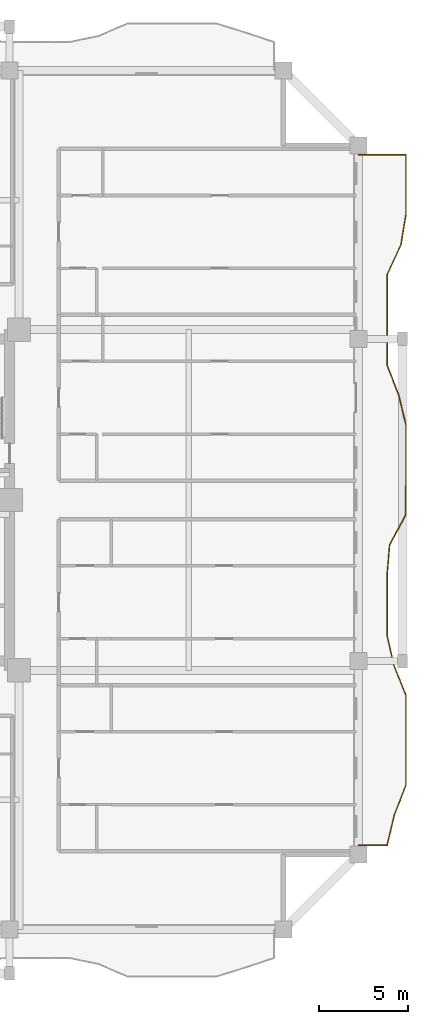
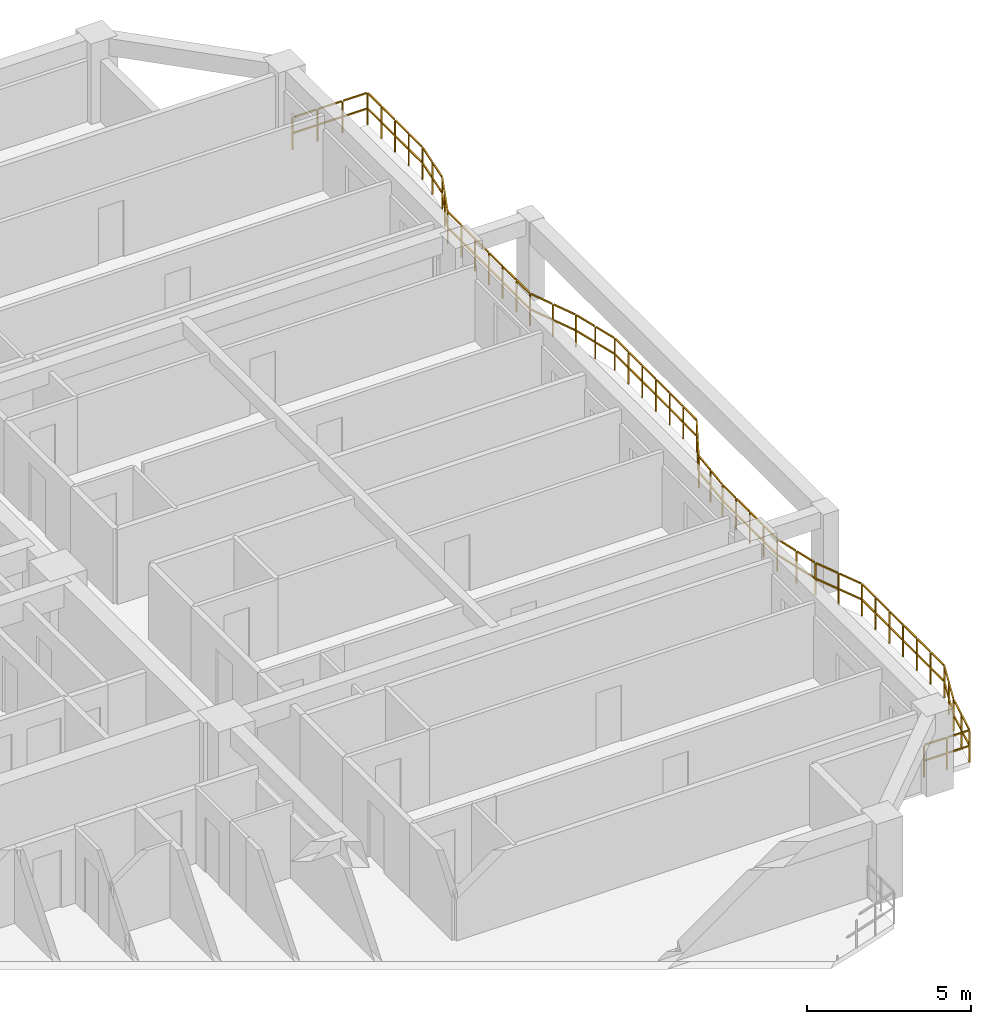
# One storey, part 12 of 13: 1 railing.
"""IFC4 building model written with IfcOpenShell, lengths in metres."""

from ifc_helpers import new_model, si_unit, direction, frame, origin, origin_2d, place, context, subcontext, project, spatial, rectangle, extrude, material, type_object, element, save


model = new_model("IFC4")

# Units and contexts
model_context = context("Model", 3, precision=1e-05, world=origin(), true_north=direction((0.0, 1.0)))
body_context = subcontext(model_context, "Body", "Model", "MODEL_VIEW")
ifc_project = project(units=[si_unit("LENGTHUNIT", "METRE"), si_unit("AREAUNIT", "SQUARE_METRE"), si_unit("VOLUMEUNIT", "CUBIC_METRE"), si_unit("PLANEANGLEUNIT", "RADIAN"), si_unit("MASSUNIT", "GRAM", prefix="KILO")], contexts=[model_context])

# Site, building, storey
site_placement = place(None, origin())
site = spatial("IfcSite", under=ifc_project, at=site_placement, CompositionType="ELEMENT")
building_placement = place(site_placement, origin())
building = spatial("IfcBuilding", under=site, at=building_placement, Name="Saelheon Loggia Tower", CompositionType="ELEMENT")
storey_placement = place(building_placement, frame((0.0, 0.0, 110.85009765625)))
storey = spatial("IfcBuildingStorey", under=building, at=storey_placement, Name="L35", CompositionType="ELEMENT", Elevation=110.85009765625)

# Railing
ifc_material = material(Name="Architectural Precast Concrete and Laminated Glass Guard", Category="concrete")
railing_type = type_object("IfcRailingType", Name="Guard_Loggia_RL_LOG", PredefinedType="BALUSTRADE", material=ifc_material)
railing_placement = place(storey_placement, frame((64.0, 7.699951171875, 0.0)))
element("IfcRailing", 1, at=railing_placement, inside=storey, type_object=railing_type, Name="L35 East Loggia Balustrade", PredefinedType="BALUSTRADE", context=body_context, shape_type="SweptSolid", body=[
    extrude(rectangle(XDim=0.048095703125, YDim=0.048095703125, at=origin_2d()), frame((0.033203125, 0.0, 1.19580078125), z_axis=(1.0, 0.0, 0.0), x_axis=(0.0, 1.0, 0.0)), (0.0, 0.0, 1.0), 0.733642578125),
    extrude(rectangle(XDim=0.048095703125, YDim=0.048095703125, at=origin_2d()), frame((0.033203125, 0.0, 0.60986328125), z_axis=(1.0, 0.0, 0.0), x_axis=(0.0, 1.0, 0.0)), (0.0, 0.0, 1.0), 0.733642578125),
    extrude(rectangle(XDim=0.048095703125, YDim=0.048095703125, at=origin_2d()), frame((0.833251953125, 0.0, 1.19580078125), z_axis=(1.0, 0.0, 0.0), x_axis=(0.0, 1.0, 0.0)), (0.0, 0.0, 1.0), 0.733642578125),
    extrude(rectangle(XDim=0.048095703125, YDim=0.048095703125, at=origin_2d()), frame((0.833251953125, 0.0, 0.60986328125), z_axis=(1.0, 0.0, 0.0), x_axis=(0.0, 1.0, 0.0)), (0.0, 0.0, 1.0), 0.733642578125),
    extrude(rectangle(XDim=0.048095703125, YDim=0.048095703125, at=origin_2d()), frame((1.60791015625, 0.0322265625, 1.19580078125), z_axis=(0.233105455965, 0.972451462233, 0.0), x_axis=(-0.972451462233, 0.233105455965, 0.0)), (0.0, 0.0, 1.0), 0.796630859375),
    extrude(rectangle(XDim=0.048095703125, YDim=0.048095703125, at=origin_2d()), frame((1.60791015625, 0.0322265625, 0.60986328125), z_axis=(0.233105455965, 0.972451462233, 0.0), x_axis=(-0.972451462233, 0.233105455965, 0.0)), (0.0, 0.0, 1.0), 0.796630859375),
    extrude(rectangle(XDim=0.048095703125, YDim=0.048095703125, at=origin_2d()), frame((1.80908203125, 0.87158203125, 1.19580078125), z_axis=(0.233105455965, 0.972451462233, 0.0), x_axis=(-0.972451462233, 0.233105455965, 0.0)), (0.0, 0.0, 1.0), 0.796630859375),
    extrude(rectangle(XDim=0.048095703125, YDim=0.048095703125, at=origin_2d()), frame((1.80908203125, 0.87158203125, 0.60986328125), z_axis=(0.233105455965, 0.972451462233, 0.0), x_axis=(-0.972451462233, 0.233105455965, 0.0)), (0.0, 0.0, 1.0), 0.796630859375),
    extrude(rectangle(XDim=0.048095703125, YDim=0.048095703125, at=origin_2d()), frame((2.014404296875, 1.70947265625, 1.19580078125), z_axis=(0.359988539971, 0.932956725197, 0.0), x_axis=(-0.932956725197, 0.359988539971, 0.0)), (0.0, 0.0, 1.0), 0.832763671875),
    extrude(rectangle(XDim=0.048095703125, YDim=0.048095703125, at=origin_2d()), frame((2.014404296875, 1.70947265625, 0.60986328125), z_axis=(0.359988539971, 0.932956725197, 0.0), x_axis=(-0.932956725197, 0.359988539971, 0.0)), (0.0, 0.0, 1.0), 0.832763671875),
    extrude(rectangle(XDim=0.048095703125, YDim=0.048095703125, at=origin_2d()), frame((2.338134765625, 2.548583984375, 1.19580078125), z_axis=(0.359988539971, 0.932956725197, 0.0), x_axis=(-0.932956725197, 0.359988539971, 0.0)), (0.0, 0.0, 1.0), 0.832763671875),
    extrude(rectangle(XDim=0.048095703125, YDim=0.048095703125, at=origin_2d()), frame((2.338134765625, 2.548583984375, 0.60986328125), z_axis=(0.359988539971, 0.932956725197, 0.0), x_axis=(-0.932956725197, 0.359988539971, 0.0)), (0.0, 0.0, 1.0), 0.832763671875),
    extrude(rectangle(XDim=0.048095703125, YDim=0.048095703125, at=origin_2d()), frame((2.64990234375, 3.3896484375, 1.19580078125), z_axis=(0.0, 1.0, 0.0), x_axis=(-1.0, 0.0, 0.0)), (0.0, 0.0, 1.0), 0.772705078125),
    extrude(rectangle(XDim=0.048095703125, YDim=0.048095703125, at=origin_2d()), frame((2.64990234375, 3.3896484375, 0.60986328125), z_axis=(0.0, 1.0, 0.0), x_axis=(-1.0, 0.0, 0.0)), (0.0, 0.0, 1.0), 0.772705078125),
    extrude(rectangle(XDim=0.048095703125, YDim=0.048095703125, at=origin_2d()), frame((2.64990234375, 4.22900390625, 1.19580078125), z_axis=(0.0, 1.0, 0.0), x_axis=(-1.0, 0.0, 0.0)), (0.0, 0.0, 1.0), 0.772705078125),
    extrude(rectangle(XDim=0.048095703125, YDim=0.048095703125, at=origin_2d()), frame((2.64990234375, 4.22900390625, 0.60986328125), z_axis=(0.0, 1.0, 0.0), x_axis=(-1.0, 0.0, 0.0)), (0.0, 0.0, 1.0), 0.772705078125),
    extrude(rectangle(XDim=0.048095703125, YDim=0.048095703125, at=origin_2d()), frame((2.64990234375, 5.068115234375, 1.19580078125), z_axis=(0.0, 1.0, 0.0), x_axis=(-1.0, 0.0, 0.0)), (0.0, 0.0, 1.0), 0.772705078125),
    extrude(rectangle(XDim=0.048095703125, YDim=0.048095703125, at=origin_2d()), frame((2.64990234375, 5.068115234375, 0.60986328125), z_axis=(0.0, 1.0, 0.0), x_axis=(-1.0, 0.0, 0.0)), (0.0, 0.0, 1.0), 0.772705078125),
    extrude(rectangle(XDim=0.048095703125, YDim=0.048095703125, at=origin_2d()), frame((2.64990234375, 5.9072265625, 1.19580078125), z_axis=(0.0, 1.0, 0.0), x_axis=(-1.0, 0.0, 0.0)), (0.0, 0.0, 1.0), 0.772705078125),
    extrude(rectangle(XDim=0.048095703125, YDim=0.048095703125, at=origin_2d()), frame((2.64990234375, 5.9072265625, 0.60986328125), z_axis=(0.0, 1.0, 0.0), x_axis=(-1.0, 0.0, 0.0)), (0.0, 0.0, 1.0), 0.772705078125),
    extrude(rectangle(XDim=0.048095703125, YDim=0.048095703125, at=origin_2d()), frame((2.64990234375, 6.746337890625, 1.19580078125), z_axis=(0.0, 1.0, 0.0), x_axis=(-1.0, 0.0, 0.0)), (0.0, 0.0, 1.0), 0.772705078125),
    extrude(rectangle(XDim=0.048095703125, YDim=0.048095703125, at=origin_2d()), frame((2.64990234375, 6.746337890625, 0.60986328125), z_axis=(0.0, 1.0, 0.0), x_axis=(-1.0, 0.0, 0.0)), (0.0, 0.0, 1.0), 0.772705078125),
    extrude(rectangle(XDim=0.048095703125, YDim=0.048095703125, at=origin_2d()), frame((2.64990234375, 7.58544921875, 1.19580078125), z_axis=(0.0, 1.0, 0.0), x_axis=(-1.0, 0.0, 0.0)), (0.0, 0.0, 1.0), 0.772705078125),
    extrude(rectangle(XDim=0.048095703125, YDim=0.048095703125, at=origin_2d()), frame((2.64990234375, 7.58544921875, 0.60986328125), z_axis=(0.0, 1.0, 0.0), x_axis=(-1.0, 0.0, 0.0)), (0.0, 0.0, 1.0), 0.772705078125),
    extrude(rectangle(XDim=0.048095703125, YDim=0.048095703125, at=origin_2d()), frame((2.637451171875, 8.422119140625, 1.19580078125), z_axis=(-0.372251854994, 0.928131755977, 0.0), x_axis=(-0.928131755977, -0.372251854994, 0.0)), (0.0, 0.0, 1.0), 0.837646484375),
    extrude(rectangle(XDim=0.048095703125, YDim=0.048095703125, at=origin_2d()), frame((2.637451171875, 8.422119140625, 0.60986328125), z_axis=(-0.372251854994, 0.928131755977, 0.0), x_axis=(-0.928131755977, -0.372251854994, 0.0)), (0.0, 0.0, 1.0), 0.837646484375),
    extrude(rectangle(XDim=0.048095703125, YDim=0.048095703125, at=origin_2d()), frame((2.301025390625, 9.26123046875, 1.19580078125), z_axis=(-0.372251854994, 0.928131755977, 0.0), x_axis=(-0.928131755977, -0.372251854994, 0.0)), (0.0, 0.0, 1.0), 0.837646484375),
    extrude(rectangle(XDim=0.048095703125, YDim=0.048095703125, at=origin_2d()), frame((2.301025390625, 9.26123046875, 0.60986328125), z_axis=(-0.372251854994, 0.928131755977, 0.0), x_axis=(-0.928131755977, -0.372251854994, 0.0)), (0.0, 0.0, 1.0), 0.837646484375),
    extrude(rectangle(XDim=0.048095703125, YDim=0.048095703125, at=origin_2d()), frame((1.969482421875, 10.10205078125, 1.19580078125), z_axis=(-0.219019037478, 0.97572058563, 0.0), x_axis=(-0.97572058563, -0.219019037478, 0.0)), (0.0, 0.0, 1.0), 0.79345703125),
    extrude(rectangle(XDim=0.048095703125, YDim=0.048095703125, at=origin_2d()), frame((1.969482421875, 10.10205078125, 0.60986328125), z_axis=(-0.219019037478, 0.97572058563, 0.0), x_axis=(-0.97572058563, -0.219019037478, 0.0)), (0.0, 0.0, 1.0), 0.79345703125),
    extrude(rectangle(XDim=0.048095703125, YDim=0.048095703125, at=origin_2d()), frame((1.78125, 10.941162109375, 1.19580078125), z_axis=(-0.219019037478, 0.97572058563, 0.0), x_axis=(-0.97572058563, -0.219019037478, 0.0)), (0.0, 0.0, 1.0), 0.79345703125),
    extrude(rectangle(XDim=0.048095703125, YDim=0.048095703125, at=origin_2d()), frame((1.78125, 10.941162109375, 0.60986328125), z_axis=(-0.219019037478, 0.97572058563, 0.0), x_axis=(-0.97572058563, -0.219019037478, 0.0)), (0.0, 0.0, 1.0), 0.79345703125),
    extrude(rectangle(XDim=0.048095703125, YDim=0.048095703125, at=origin_2d()), frame((1.60009765625, 11.781005859375, 1.19580078125), z_axis=(0.0, 1.0, 0.0), x_axis=(-1.0, 0.0, 0.0)), (0.0, 0.0, 1.0), 0.772705078125),
    extrude(rectangle(XDim=0.048095703125, YDim=0.048095703125, at=origin_2d()), frame((1.60009765625, 11.781005859375, 0.60986328125), z_axis=(0.0, 1.0, 0.0), x_axis=(-1.0, 0.0, 0.0)), (0.0, 0.0, 1.0), 0.772705078125),
    extrude(rectangle(XDim=0.048095703125, YDim=0.048095703125, at=origin_2d()), frame((1.60009765625, 12.620361328125, 1.19580078125), z_axis=(0.0, 1.0, 0.0), x_axis=(-1.0, 0.0, 0.0)), (0.0, 0.0, 1.0), 0.772705078125),
    extrude(rectangle(XDim=0.048095703125, YDim=0.048095703125, at=origin_2d()), frame((1.60009765625, 12.620361328125, 0.60986328125), z_axis=(0.0, 1.0, 0.0), x_axis=(-1.0, 0.0, 0.0)), (0.0, 0.0, 1.0), 0.772705078125),
    extrude(rectangle(XDim=0.048095703125, YDim=0.048095703125, at=origin_2d()), frame((1.60009765625, 13.45947265625, 1.19580078125), z_axis=(0.0, 1.0, 0.0), x_axis=(-1.0, 0.0, 0.0)), (0.0, 0.0, 1.0), 0.7724609375),
    extrude(rectangle(XDim=0.048095703125, YDim=0.048095703125, at=origin_2d()), frame((1.60009765625, 13.45947265625, 0.60986328125), z_axis=(0.0, 1.0, 0.0), x_axis=(-1.0, 0.0, 0.0)), (0.0, 0.0, 1.0), 0.7724609375),
    extrude(rectangle(XDim=0.048095703125, YDim=0.048095703125, at=origin_2d()), frame((1.60009765625, 14.298583984375, 1.19580078125), z_axis=(0.0, 1.0, 0.0), x_axis=(-1.0, 0.0, 0.0)), (0.0, 0.0, 1.0), 0.7724609375),
    extrude(rectangle(XDim=0.048095703125, YDim=0.048095703125, at=origin_2d()), frame((1.60009765625, 14.298583984375, 0.60986328125), z_axis=(0.0, 1.0, 0.0), x_axis=(-1.0, 0.0, 0.0)), (0.0, 0.0, 1.0), 0.7724609375),
    extrude(rectangle(XDim=0.048095703125, YDim=0.048095703125, at=origin_2d()), frame((1.602783203125, 15.137451171875, 1.19580078125), z_axis=(0.082769561471, 0.996568712982, 0.0), x_axis=(-0.996568712982, 0.082769561471, 0.0)), (0.0, 0.0, 1.0), 0.775634765625),
    extrude(rectangle(XDim=0.048095703125, YDim=0.048095703125, at=origin_2d()), frame((1.602783203125, 15.137451171875, 0.60986328125), z_axis=(0.082769561471, 0.996568712982, 0.0), x_axis=(-0.996568712982, 0.082769561471, 0.0)), (0.0, 0.0, 1.0), 0.775634765625),
    extrude(rectangle(XDim=0.048095703125, YDim=0.048095703125, at=origin_2d()), frame((1.672607421875, 15.9765625, 1.19580078125), z_axis=(0.082769561471, 0.996568712982, 0.0), x_axis=(-0.996568712982, 0.082769561471, 0.0)), (0.0, 0.0, 1.0), 0.775634765625),
    extrude(rectangle(XDim=0.048095703125, YDim=0.048095703125, at=origin_2d()), frame((1.672607421875, 15.9765625, 0.60986328125), z_axis=(0.082769561471, 0.996568712982, 0.0), x_axis=(-0.996568712982, 0.082769561471, 0.0)), (0.0, 0.0, 1.0), 0.775634765625),
    extrude(rectangle(XDim=0.048095703125, YDim=0.048095703125, at=origin_2d()), frame((1.755126953125, 16.81201171875, 1.19580078125), z_axis=(0.470474964031, 0.882413343179, 0.0), x_axis=(-0.882413343179, 0.470474964031, 0.0)), (0.0, 0.0, 1.0), 0.884521484375),
    extrude(rectangle(XDim=0.048095703125, YDim=0.048095703125, at=origin_2d()), frame((1.755126953125, 16.81201171875, 0.60986328125), z_axis=(0.470474964031, 0.882413343179, 0.0), x_axis=(-0.882413343179, 0.470474964031, 0.0)), (0.0, 0.0, 1.0), 0.884521484375),
    extrude(rectangle(XDim=0.048095703125, YDim=0.048095703125, at=origin_2d()), frame((2.20263671875, 17.651123046875, 1.19580078125), z_axis=(0.470474964031, 0.882413343179, 0.0), x_axis=(-0.882413343179, 0.470474964031, 0.0)), (0.0, 0.0, 1.0), 0.884521484375),
    extrude(rectangle(XDim=0.048095703125, YDim=0.048095703125, at=origin_2d()), frame((2.20263671875, 17.651123046875, 0.60986328125), z_axis=(0.470474964031, 0.882413343179, 0.0), x_axis=(-0.882413343179, 0.470474964031, 0.0)), (0.0, 0.0, 1.0), 0.884521484375),
    extrude(rectangle(XDim=0.048095703125, YDim=0.048095703125, at=origin_2d()), frame((2.634521484375, 18.494140625, 1.19580078125), z_axis=(0.009310041647, 0.999956660623, 0.0), x_axis=(-0.999956660623, 0.009310041647, 0.0)), (0.0, 0.0, 1.0), 0.772705078125),
    extrude(rectangle(XDim=0.048095703125, YDim=0.048095703125, at=origin_2d()), frame((2.634521484375, 18.494140625, 0.60986328125), z_axis=(0.009310041647, 0.999956660623, 0.0), x_axis=(-0.999956660623, 0.009310041647, 0.0)), (0.0, 0.0, 1.0), 0.772705078125),
    extrude(rectangle(XDim=0.048095703125, YDim=0.048095703125, at=origin_2d()), frame((2.642333984375, 19.333251953125, 1.19580078125), z_axis=(0.009310041647, 0.999956660623, 0.0), x_axis=(-0.999956660623, 0.009310041647, 0.0)), (0.0, 0.0, 1.0), 0.772705078125),
    extrude(rectangle(XDim=0.048095703125, YDim=0.048095703125, at=origin_2d()), frame((2.642333984375, 19.333251953125, 0.60986328125), z_axis=(0.009310041647, 0.999956660623, 0.0), x_axis=(-0.999956660623, 0.009310041647, 0.0)), (0.0, 0.0, 1.0), 0.772705078125),
    extrude(rectangle(XDim=0.048095703125, YDim=0.048095703125, at=origin_2d()), frame((2.64990234375, 20.17236328125, 1.19580078125), z_axis=(0.0, 1.0, 0.0), x_axis=(-1.0, 0.0, 0.0)), (0.0, 0.0, 1.0), 0.772705078125),
    extrude(rectangle(XDim=0.048095703125, YDim=0.048095703125, at=origin_2d()), frame((2.64990234375, 20.17236328125, 0.60986328125), z_axis=(0.0, 1.0, 0.0), x_axis=(-1.0, 0.0, 0.0)), (0.0, 0.0, 1.0), 0.772705078125),
    extrude(rectangle(XDim=0.048095703125, YDim=0.048095703125, at=origin_2d()), frame((2.64990234375, 21.011474609375, 1.19580078125), z_axis=(0.0, 1.0, 0.0), x_axis=(-1.0, 0.0, 0.0)), (0.0, 0.0, 1.0), 0.772705078125),
    extrude(rectangle(XDim=0.048095703125, YDim=0.048095703125, at=origin_2d()), frame((2.64990234375, 21.011474609375, 0.60986328125), z_axis=(0.0, 1.0, 0.0), x_axis=(-1.0, 0.0, 0.0)), (0.0, 0.0, 1.0), 0.772705078125),
    extrude(rectangle(XDim=0.048095703125, YDim=0.048095703125, at=origin_2d()), frame((2.64990234375, 21.8505859375, 1.19580078125), z_axis=(0.0, 1.0, 0.0), x_axis=(-1.0, 0.0, 0.0)), (0.0, 0.0, 1.0), 0.772705078125),
    extrude(rectangle(XDim=0.048095703125, YDim=0.048095703125, at=origin_2d()), frame((2.64990234375, 21.8505859375, 0.60986328125), z_axis=(0.0, 1.0, 0.0), x_axis=(-1.0, 0.0, 0.0)), (0.0, 0.0, 1.0), 0.772705078125),
    extrude(rectangle(XDim=0.048095703125, YDim=0.048095703125, at=origin_2d()), frame((2.64990234375, 22.68994140625, 1.19580078125), z_axis=(0.0, 1.0, 0.0), x_axis=(-1.0, 0.0, 0.0)), (0.0, 0.0, 1.0), 0.772705078125),
    extrude(rectangle(XDim=0.048095703125, YDim=0.048095703125, at=origin_2d()), frame((2.64990234375, 22.68994140625, 0.60986328125), z_axis=(0.0, 1.0, 0.0), x_axis=(-1.0, 0.0, 0.0)), (0.0, 0.0, 1.0), 0.772705078125),
    extrude(rectangle(XDim=0.048095703125, YDim=0.048095703125, at=origin_2d()), frame((2.64208984375, 23.528076171875, 1.19580078125), z_axis=(-0.234239529091, 0.972178915124, 0.0), x_axis=(-0.972178915124, -0.234239529091, 0.0)), (0.0, 0.0, 1.0), 0.796630859375),
    extrude(rectangle(XDim=0.048095703125, YDim=0.048095703125, at=origin_2d()), frame((2.64208984375, 23.528076171875, 0.60986328125), z_axis=(-0.234239529091, 0.972178915124, 0.0), x_axis=(-0.972178915124, -0.234239529091, 0.0)), (0.0, 0.0, 1.0), 0.796630859375),
    extrude(rectangle(XDim=0.048095703125, YDim=0.048095703125, at=origin_2d()), frame((2.43994140625, 24.3671875, 1.19580078125), z_axis=(-0.234239529091, 0.972178915124, 0.0), x_axis=(-0.972178915124, -0.234239529091, 0.0)), (0.0, 0.0, 1.0), 0.796630859375),
    extrude(rectangle(XDim=0.048095703125, YDim=0.048095703125, at=origin_2d()), frame((2.43994140625, 24.3671875, 0.60986328125), z_axis=(-0.234239529091, 0.972178915124, 0.0), x_axis=(-0.972178915124, -0.234239529091, 0.0)), (0.0, 0.0, 1.0), 0.796630859375),
    extrude(rectangle(XDim=0.048095703125, YDim=0.048095703125, at=origin_2d()), frame((2.233642578125, 25.204833984375, 1.19580078125), z_axis=(-0.358951787018, 0.93335610278, 0.0), x_axis=(-0.93335610278, -0.358951787018, 0.0)), (0.0, 0.0, 1.0), 0.832763671875),
    extrude(rectangle(XDim=0.048095703125, YDim=0.048095703125, at=origin_2d()), frame((2.233642578125, 25.204833984375, 0.60986328125), z_axis=(-0.358951787018, 0.93335610278, 0.0), x_axis=(-0.93335610278, -0.358951787018, 0.0)), (0.0, 0.0, 1.0), 0.832763671875),
    extrude(rectangle(XDim=0.048095703125, YDim=0.048095703125, at=origin_2d()), frame((1.910888671875, 26.044189453125, 1.19580078125), z_axis=(-0.358951787018, 0.93335610278, 0.0), x_axis=(-0.93335610278, -0.358951787018, 0.0)), (0.0, 0.0, 1.0), 0.832763671875),
    extrude(rectangle(XDim=0.048095703125, YDim=0.048095703125, at=origin_2d()), frame((1.910888671875, 26.044189453125, 0.60986328125), z_axis=(-0.358951787018, 0.93335610278, 0.0), x_axis=(-0.93335610278, -0.358951787018, 0.0)), (0.0, 0.0, 1.0), 0.832763671875),
    extrude(rectangle(XDim=0.048095703125, YDim=0.048095703125, at=origin_2d()), frame((1.60009765625, 26.885498046875, 1.19580078125), z_axis=(0.0, 1.0, 0.0), x_axis=(-1.0, 0.0, 0.0)), (0.0, 0.0, 1.0), 0.772705078125),
    extrude(rectangle(XDim=0.048095703125, YDim=0.048095703125, at=origin_2d()), frame((1.60009765625, 26.885498046875, 0.60986328125), z_axis=(0.0, 1.0, 0.0), x_axis=(-1.0, 0.0, 0.0)), (0.0, 0.0, 1.0), 0.772705078125),
    extrude(rectangle(XDim=0.048095703125, YDim=0.048095703125, at=origin_2d()), frame((1.60009765625, 27.724609375, 1.19580078125), z_axis=(0.0, 1.0, 0.0), x_axis=(-1.0, 0.0, 0.0)), (0.0, 0.0, 1.0), 0.772705078125),
    extrude(rectangle(XDim=0.048095703125, YDim=0.048095703125, at=origin_2d()), frame((1.60009765625, 27.724609375, 0.60986328125), z_axis=(0.0, 1.0, 0.0), x_axis=(-1.0, 0.0, 0.0)), (0.0, 0.0, 1.0), 0.772705078125),
    extrude(rectangle(XDim=0.048095703125, YDim=0.048095703125, at=origin_2d()), frame((1.60009765625, 28.563720703125, 1.19580078125), z_axis=(0.0, 1.0, 0.0), x_axis=(-1.0, 0.0, 0.0)), (0.0, 0.0, 1.0), 0.772705078125),
    extrude(rectangle(XDim=0.048095703125, YDim=0.048095703125, at=origin_2d()), frame((1.60009765625, 28.563720703125, 0.60986328125), z_axis=(0.0, 1.0, 0.0), x_axis=(-1.0, 0.0, 0.0)), (0.0, 0.0, 1.0), 0.772705078125),
    extrude(rectangle(XDim=0.048095703125, YDim=0.048095703125, at=origin_2d()), frame((1.60009765625, 29.40283203125, 1.19580078125), z_axis=(0.0, 1.0, 0.0), x_axis=(-1.0, 0.0, 0.0)), (0.0, 0.0, 1.0), 0.772705078125),
    extrude(rectangle(XDim=0.048095703125, YDim=0.048095703125, at=origin_2d()), frame((1.60009765625, 29.40283203125, 0.60986328125), z_axis=(0.0, 1.0, 0.0), x_axis=(-1.0, 0.0, 0.0)), (0.0, 0.0, 1.0), 0.772705078125),
    extrude(rectangle(XDim=0.048095703125, YDim=0.048095703125, at=origin_2d()), frame((1.60009765625, 30.241943359375, 1.19580078125), z_axis=(0.0, 1.0, 0.0), x_axis=(-1.0, 0.0, 0.0)), (0.0, 0.0, 1.0), 0.772705078125),
    extrude(rectangle(XDim=0.048095703125, YDim=0.048095703125, at=origin_2d()), frame((1.60009765625, 30.241943359375, 0.60986328125), z_axis=(0.0, 1.0, 0.0), x_axis=(-1.0, 0.0, 0.0)), (0.0, 0.0, 1.0), 0.772705078125),
    extrude(rectangle(XDim=0.048095703125, YDim=0.048095703125, at=origin_2d()), frame((1.60009765625, 31.0810546875, 1.19580078125), z_axis=(0.0, 1.0, 0.0), x_axis=(-1.0, 0.0, 0.0)), (0.0, 0.0, 1.0), 0.772705078125),
    extrude(rectangle(XDim=0.048095703125, YDim=0.048095703125, at=origin_2d()), frame((1.60009765625, 31.0810546875, 0.60986328125), z_axis=(0.0, 1.0, 0.0), x_axis=(-1.0, 0.0, 0.0)), (0.0, 0.0, 1.0), 0.772705078125),
    extrude(rectangle(XDim=0.048095703125, YDim=0.048095703125, at=origin_2d()), frame((1.614013671875, 31.917236328125, 1.19580078125), z_axis=(0.419100057061, 0.907940054283, 0.0), x_axis=(-0.907940054283, 0.419100057061, 0.0)), (0.0, 0.0, 1.0), 0.857666015625),
    extrude(rectangle(XDim=0.048095703125, YDim=0.048095703125, at=origin_2d()), frame((1.614013671875, 31.917236328125, 0.60986328125), z_axis=(0.419100057061, 0.907940054283, 0.0), x_axis=(-0.907940054283, 0.419100057061, 0.0)), (0.0, 0.0, 1.0), 0.857666015625),
    extrude(rectangle(XDim=0.048095703125, YDim=0.048095703125, at=origin_2d()), frame((2.00146484375, 32.75634765625, 1.19580078125), z_axis=(0.419100057061, 0.907940054283, 0.0), x_axis=(-0.907940054283, 0.419100057061, 0.0)), (0.0, 0.0, 1.0), 0.857666015625),
    extrude(rectangle(XDim=0.048095703125, YDim=0.048095703125, at=origin_2d()), frame((2.00146484375, 32.75634765625, 0.60986328125), z_axis=(0.419100057061, 0.907940054283, 0.0), x_axis=(-0.907940054283, 0.419100057061, 0.0)), (0.0, 0.0, 1.0), 0.857666015625),
    extrude(rectangle(XDim=0.048095703125, YDim=0.048095703125, at=origin_2d()), frame((2.380126953125, 33.597900390625, 1.19580078125), z_axis=(0.16176815253, 0.986828792054, 0.0), x_axis=(-0.986828792054, 0.16176815253, 0.0)), (0.0, 0.0, 1.0), 0.783935546875),
    extrude(rectangle(XDim=0.048095703125, YDim=0.048095703125, at=origin_2d()), frame((2.380126953125, 33.597900390625, 0.60986328125), z_axis=(0.16176815253, 0.986828792054, 0.0), x_axis=(-0.986828792054, 0.16176815253, 0.0)), (0.0, 0.0, 1.0), 0.783935546875),
    extrude(rectangle(XDim=0.048095703125, YDim=0.048095703125, at=origin_2d()), frame((2.517822265625, 34.437255859375, 1.19580078125), z_axis=(0.16176815253, 0.986828792054, 0.0), x_axis=(-0.986828792054, 0.16176815253, 0.0)), (0.0, 0.0, 1.0), 0.783935546875),
    extrude(rectangle(XDim=0.048095703125, YDim=0.048095703125, at=origin_2d()), frame((2.517822265625, 34.437255859375, 0.60986328125), z_axis=(0.16176815253, 0.986828792054, 0.0), x_axis=(-0.986828792054, 0.16176815253, 0.0)), (0.0, 0.0, 1.0), 0.783935546875),
    extrude(rectangle(XDim=0.048095703125, YDim=0.048095703125, at=origin_2d()), frame((2.64990234375, 35.27685546875, 1.19580078125), z_axis=(0.0, 1.0, 0.0), x_axis=(-1.0, 0.0, 0.0)), (0.0, 0.0, 1.0), 0.7724609375),
    extrude(rectangle(XDim=0.048095703125, YDim=0.048095703125, at=origin_2d()), frame((2.64990234375, 35.27685546875, 0.60986328125), z_axis=(0.0, 1.0, 0.0), x_axis=(-1.0, 0.0, 0.0)), (0.0, 0.0, 1.0), 0.7724609375),
    extrude(rectangle(XDim=0.048095703125, YDim=0.048095703125, at=origin_2d()), frame((2.64990234375, 36.115966796875, 1.19580078125), z_axis=(0.0, 1.0, 0.0), x_axis=(-1.0, 0.0, 0.0)), (0.0, 0.0, 1.0), 0.7724609375),
    extrude(rectangle(XDim=0.048095703125, YDim=0.048095703125, at=origin_2d()), frame((2.64990234375, 36.115966796875, 0.60986328125), z_axis=(0.0, 1.0, 0.0), x_axis=(-1.0, 0.0, 0.0)), (0.0, 0.0, 1.0), 0.7724609375),
    extrude(rectangle(XDim=0.048095703125, YDim=0.048095703125, at=origin_2d()), frame((2.64990234375, 36.954833984375, 1.19580078125), z_axis=(0.0, 1.0, 0.0), x_axis=(-1.0, 0.0, 0.0)), (0.0, 0.0, 1.0), 0.772705078125),
    extrude(rectangle(XDim=0.048095703125, YDim=0.048095703125, at=origin_2d()), frame((2.64990234375, 36.954833984375, 0.60986328125), z_axis=(0.0, 1.0, 0.0), x_axis=(-1.0, 0.0, 0.0)), (0.0, 0.0, 1.0), 0.772705078125),
    extrude(rectangle(XDim=0.048095703125, YDim=0.048095703125, at=origin_2d()), frame((2.64990234375, 37.794189453125, 1.19580078125), z_axis=(0.0, 1.0, 0.0), x_axis=(-1.0, 0.0, 0.0)), (0.0, 0.0, 1.0), 0.772705078125),
    extrude(rectangle(XDim=0.048095703125, YDim=0.048095703125, at=origin_2d()), frame((2.64990234375, 37.794189453125, 0.60986328125), z_axis=(0.0, 1.0, 0.0), x_axis=(-1.0, 0.0, 0.0)), (0.0, 0.0, 1.0), 0.772705078125),
    extrude(rectangle(XDim=0.048095703125, YDim=0.048095703125, at=origin_2d()), frame((2.61669921875, 38.60009765625, 1.19580078125), z_axis=(-1.0, 0.0, 0.0), x_axis=(0.0, -1.0, 0.0)), (0.0, 0.0, 1.0), 0.81689453125),
    extrude(rectangle(XDim=0.048095703125, YDim=0.048095703125, at=origin_2d()), frame((2.61669921875, 38.60009765625, 0.60986328125), z_axis=(-1.0, 0.0, 0.0), x_axis=(0.0, -1.0, 0.0)), (0.0, 0.0, 1.0), 0.81689453125),
    extrude(rectangle(XDim=0.048095703125, YDim=0.048095703125, at=origin_2d()), frame((1.7333984375, 38.60009765625, 1.19580078125), z_axis=(-1.0, 0.0, 0.0), x_axis=(0.0, -1.0, 0.0)), (0.0, 0.0, 1.0), 0.81689453125),
    extrude(rectangle(XDim=0.048095703125, YDim=0.048095703125, at=origin_2d()), frame((1.7333984375, 38.60009765625, 0.60986328125), z_axis=(-1.0, 0.0, 0.0), x_axis=(0.0, -1.0, 0.0)), (0.0, 0.0, 1.0), 0.81689453125),
    extrude(rectangle(XDim=0.048095703125, YDim=0.048095703125, at=origin_2d()), frame((0.85009765625, 38.60009765625, 1.19580078125), z_axis=(-1.0, 0.0, 0.0), x_axis=(0.0, -1.0, 0.0)), (0.0, 0.0, 1.0), 0.81689453125),
    extrude(rectangle(XDim=0.048095703125, YDim=0.048095703125, at=origin_2d()), frame((0.85009765625, 38.60009765625, 0.60986328125), z_axis=(-1.0, 0.0, 0.0), x_axis=(0.0, -1.0, 0.0)), (0.0, 0.0, 1.0), 0.81689453125),
    extrude(rectangle(XDim=0.0419921875, YDim=0.0419921875, at=origin_2d()), origin(), (0.0, 0.0, 1.0), 1.16796875),
    extrude(rectangle(XDim=0.0419921875, YDim=0.0419921875, at=origin_2d()), frame((0.800048828125, 0.0, 0.0)), (0.0, 0.0, 1.0), 1.16796875),
    extrude(rectangle(XDim=0.0419921875, YDim=0.0419921875, at=origin_2d()), frame((1.60009765625, 0.0, 0.0)), (0.0, 0.0, 1.0), 1.16796875),
    extrude(rectangle(XDim=0.0419921875, YDim=0.0419921875, at=origin_2d()), frame((1.80126953125, 0.83935546875, 0.0)), (0.0, 0.0, 1.0), 1.16796875),
    extrude(rectangle(XDim=0.0419921875, YDim=0.0419921875, at=origin_2d()), frame((2.00244140625, 1.678466796875, 0.0)), (0.0, 0.0, 1.0), 1.16796875),
    extrude(rectangle(XDim=0.0419921875, YDim=0.0419921875, at=origin_2d()), frame((2.326171875, 2.517578125, 0.0)), (0.0, 0.0, 1.0), 1.16796875),
    extrude(rectangle(XDim=0.0419921875, YDim=0.0419921875, at=origin_2d()), frame((2.64990234375, 3.3564453125, 0.0)), (0.0, 0.0, 1.0), 1.16796875),
    extrude(rectangle(XDim=0.0419921875, YDim=0.0419921875, at=origin_2d()), frame((2.64990234375, 4.19580078125, 0.0)), (0.0, 0.0, 1.0), 1.16796875),
    extrude(rectangle(XDim=0.0419921875, YDim=0.0419921875, at=origin_2d()), frame((2.64990234375, 5.034912109375, 0.0)), (0.0, 0.0, 1.0), 1.16796875),
    extrude(rectangle(XDim=0.0419921875, YDim=0.0419921875, at=origin_2d()), frame((2.64990234375, 5.8740234375, 0.0)), (0.0, 0.0, 1.0), 1.16796875),
    extrude(rectangle(XDim=0.0419921875, YDim=0.0419921875, at=origin_2d()), frame((2.64990234375, 6.713134765625, 0.0)), (0.0, 0.0, 1.0), 1.16796875),
    extrude(rectangle(XDim=0.0419921875, YDim=0.0419921875, at=origin_2d()), frame((2.64990234375, 7.55224609375, 0.0)), (0.0, 0.0, 1.0), 1.16796875),
    extrude(rectangle(XDim=0.0419921875, YDim=0.0419921875, at=origin_2d()), frame((2.64990234375, 8.391357421875, 0.0)), (0.0, 0.0, 1.0), 1.16796875),
    extrude(rectangle(XDim=0.0419921875, YDim=0.0419921875, at=origin_2d()), frame((2.3134765625, 9.23046875, 0.0)), (0.0, 0.0, 1.0), 1.16796875),
    extrude(rectangle(XDim=0.0419921875, YDim=0.0419921875, at=origin_2d()), frame((1.976806640625, 10.069580078125, 0.0)), (0.0, 0.0, 1.0), 1.16796875),
    extrude(rectangle(XDim=0.0419921875, YDim=0.0419921875, at=origin_2d()), frame((1.78857421875, 10.90869140625, 0.0)), (0.0, 0.0, 1.0), 1.16796875),
    extrude(rectangle(XDim=0.0419921875, YDim=0.0419921875, at=origin_2d()), frame((1.60009765625, 11.747802734375, 0.0)), (0.0, 0.0, 1.0), 1.16796875),
    extrude(rectangle(XDim=0.0419921875, YDim=0.0419921875, at=origin_2d()), frame((1.60009765625, 12.5869140625, 0.0)), (0.0, 0.0, 1.0), 1.16796875),
    extrude(rectangle(XDim=0.0419921875, YDim=0.0419921875, at=origin_2d()), frame((1.60009765625, 13.42626953125, 0.0)), (0.0, 0.0, 1.0), 1.16796875),
    extrude(rectangle(XDim=0.0419921875, YDim=0.0419921875, at=origin_2d()), frame((1.60009765625, 14.26513671875, 0.0)), (0.0, 0.0, 1.0), 1.16796875),
    extrude(rectangle(XDim=0.0419921875, YDim=0.0419921875, at=origin_2d()), frame((1.60009765625, 15.104248046875, 0.0)), (0.0, 0.0, 1.0), 1.16796875),
    extrude(rectangle(XDim=0.0419921875, YDim=0.0419921875, at=origin_2d()), frame((1.669921875, 15.943359375, 0.0)), (0.0, 0.0, 1.0), 1.16796875),
    extrude(rectangle(XDim=0.0419921875, YDim=0.0419921875, at=origin_2d()), frame((1.739501953125, 16.78271484375, 0.0)), (0.0, 0.0, 1.0), 1.16796875),
    extrude(rectangle(XDim=0.0419921875, YDim=0.0419921875, at=origin_2d()), frame((2.18701171875, 17.621826171875, 0.0)), (0.0, 0.0, 1.0), 1.16796875),
    extrude(rectangle(XDim=0.0419921875, YDim=0.0419921875, at=origin_2d()), frame((2.63427734375, 18.4609375, 0.0)), (0.0, 0.0, 1.0), 1.16796875),
    extrude(rectangle(XDim=0.0419921875, YDim=0.0419921875, at=origin_2d()), frame((2.64208984375, 19.300048828125, 0.0)), (0.0, 0.0, 1.0), 1.16796875),
    extrude(rectangle(XDim=0.0419921875, YDim=0.0419921875, at=origin_2d()), frame((2.64990234375, 20.13916015625, 0.0)), (0.0, 0.0, 1.0), 1.16796875),
    extrude(rectangle(XDim=0.0419921875, YDim=0.0419921875, at=origin_2d()), frame((2.64990234375, 20.978271484375, 0.0)), (0.0, 0.0, 1.0), 1.16796875),
    extrude(rectangle(XDim=0.0419921875, YDim=0.0419921875, at=origin_2d()), frame((2.64990234375, 21.8173828125, 0.0)), (0.0, 0.0, 1.0), 1.16796875),
    extrude(rectangle(XDim=0.0419921875, YDim=0.0419921875, at=origin_2d()), frame((2.64990234375, 22.65673828125, 0.0)), (0.0, 0.0, 1.0), 1.16796875),
    extrude(rectangle(XDim=0.0419921875, YDim=0.0419921875, at=origin_2d()), frame((2.64990234375, 23.495849609375, 0.0)), (0.0, 0.0, 1.0), 1.16796875),
    extrude(rectangle(XDim=0.0419921875, YDim=0.0419921875, at=origin_2d()), frame((2.44775390625, 24.3349609375, 0.0)), (0.0, 0.0, 1.0), 1.16796875),
    extrude(rectangle(XDim=0.0419921875, YDim=0.0419921875, at=origin_2d()), frame((2.24560546875, 25.173828125, 0.0)), (0.0, 0.0, 1.0), 1.16796875),
    extrude(rectangle(XDim=0.0419921875, YDim=0.0419921875, at=origin_2d()), frame((1.9228515625, 26.01318359375, 0.0)), (0.0, 0.0, 1.0), 1.16796875),
    extrude(rectangle(XDim=0.0419921875, YDim=0.0419921875, at=origin_2d()), frame((1.60009765625, 26.852294921875, 0.0)), (0.0, 0.0, 1.0), 1.16796875),
    extrude(rectangle(XDim=0.0419921875, YDim=0.0419921875, at=origin_2d()), frame((1.60009765625, 27.69140625, 0.0)), (0.0, 0.0, 1.0), 1.16796875),
    extrude(rectangle(XDim=0.0419921875, YDim=0.0419921875, at=origin_2d()), frame((1.60009765625, 28.530517578125, 0.0)), (0.0, 0.0, 1.0), 1.16796875),
    extrude(rectangle(XDim=0.0419921875, YDim=0.0419921875, at=origin_2d()), frame((1.60009765625, 29.36962890625, 0.0)), (0.0, 0.0, 1.0), 1.16796875),
    extrude(rectangle(XDim=0.0419921875, YDim=0.0419921875, at=origin_2d()), frame((1.60009765625, 30.208740234375, 0.0)), (0.0, 0.0, 1.0), 1.16796875),
    extrude(rectangle(XDim=0.0419921875, YDim=0.0419921875, at=origin_2d()), frame((1.60009765625, 31.0478515625, 0.0)), (0.0, 0.0, 1.0), 1.16796875),
    extrude(rectangle(XDim=0.0419921875, YDim=0.0419921875, at=origin_2d()), frame((1.60009765625, 31.886962890625, 0.0)), (0.0, 0.0, 1.0), 1.16796875),
    extrude(rectangle(XDim=0.0419921875, YDim=0.0419921875, at=origin_2d()), frame((1.9873046875, 32.72607421875, 0.0)), (0.0, 0.0, 1.0), 1.16796875),
    extrude(rectangle(XDim=0.0419921875, YDim=0.0419921875, at=origin_2d()), frame((2.374755859375, 33.565185546875, 0.0)), (0.0, 0.0, 1.0), 1.16796875),
    extrude(rectangle(XDim=0.0419921875, YDim=0.0419921875, at=origin_2d()), frame((2.51220703125, 34.404296875, 0.0)), (0.0, 0.0, 1.0), 1.16796875),
    extrude(rectangle(XDim=0.0419921875, YDim=0.0419921875, at=origin_2d()), frame((2.64990234375, 35.24365234375, 0.0)), (0.0, 0.0, 1.0), 1.16796875),
    extrude(rectangle(XDim=0.0419921875, YDim=0.0419921875, at=origin_2d()), frame((2.64990234375, 36.08251953125, 0.0)), (0.0, 0.0, 1.0), 1.16796875),
    extrude(rectangle(XDim=0.0419921875, YDim=0.0419921875, at=origin_2d()), frame((2.64990234375, 36.921630859375, 0.0)), (0.0, 0.0, 1.0), 1.16796875),
    extrude(rectangle(XDim=0.0419921875, YDim=0.0419921875, at=origin_2d()), frame((2.64990234375, 37.7607421875, 0.0)), (0.0, 0.0, 1.0), 1.16796875),
    extrude(rectangle(XDim=0.0419921875, YDim=0.0419921875, at=origin_2d()), frame((2.64990234375, 38.60009765625, 0.0)), (0.0, 0.0, 1.0), 1.16796875),
    extrude(rectangle(XDim=0.0419921875, YDim=0.0419921875, at=origin_2d()), frame((1.7666015625, 38.60009765625, 0.0)), (0.0, 0.0, 1.0), 1.16796875),
    extrude(rectangle(XDim=0.0419921875, YDim=0.0419921875, at=origin_2d()), frame((0.88330078125, 38.60009765625, 0.0)), (0.0, 0.0, 1.0), 1.16796875),
    extrude(rectangle(XDim=0.0419921875, YDim=0.0419921875, at=origin_2d()), frame((0.0, 38.60009765625, 0.0)), (0.0, 0.0, 1.0), 1.16796875),
])

save(model, "model.ifc")
